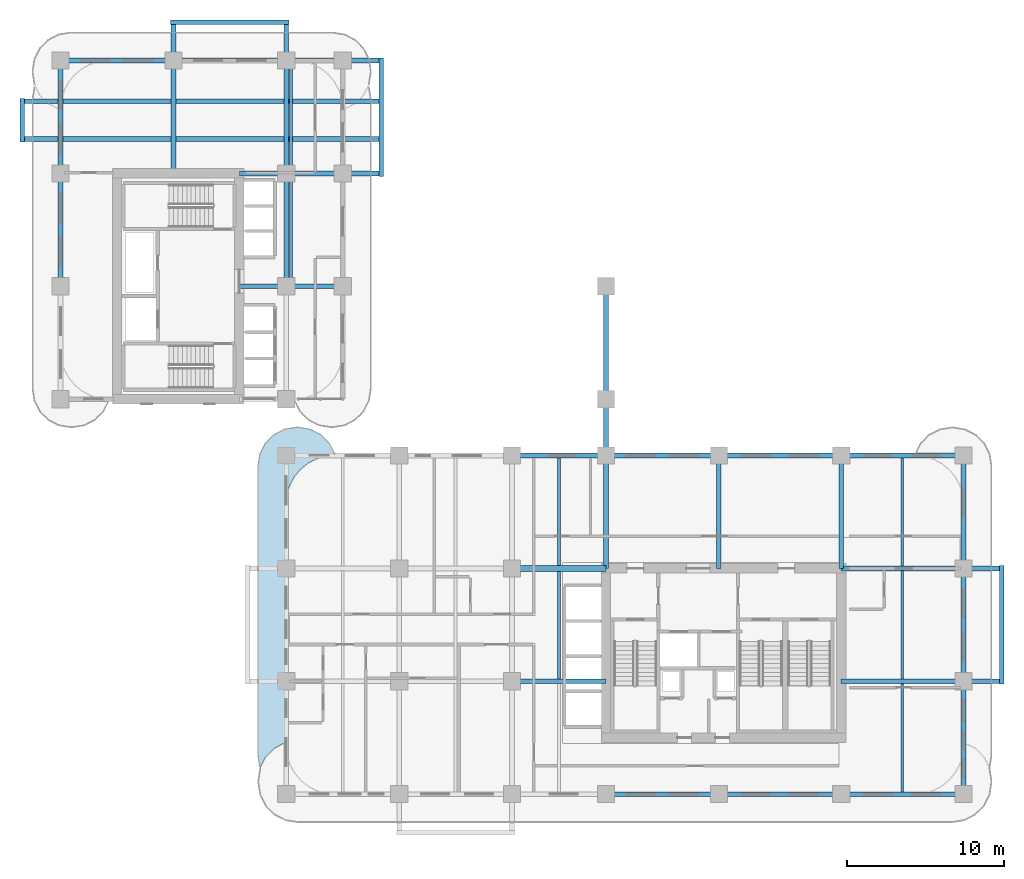
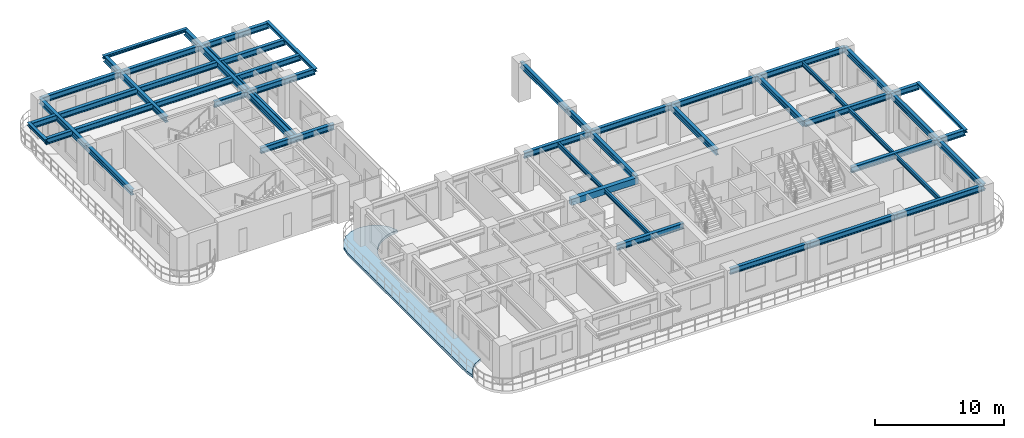
# One storey, part 3 of 18: 41 beams, 1 slab.
"""IFC4 building model written with IfcOpenShell, lengths in metres."""

from ifc_helpers import new_model, si_unit, derived_unit, direction, frame, origin, origin_2d, place, context, subcontext, project, spatial, polyline, rectangle, i_section, outline, extrude, source, transform, mapped, material, layer, layer_set, material_profile, profile_set, type_object, type_shapes, element, save


model = new_model("IFC4")

# Units and contexts
model_context = context("Model", 3, precision=1e-05, world=origin(), true_north=direction((0.0, 1.0)))
body_context = subcontext(model_context, "Body", "Model", "MODEL_VIEW")
ifc_project = project(units=[si_unit("LENGTHUNIT", "METRE"), si_unit("AREAUNIT", "SQUARE_METRE"), si_unit("VOLUMEUNIT", "CUBIC_METRE"), si_unit("PLANEANGLEUNIT", "RADIAN"), si_unit("MASSUNIT", "GRAM", prefix="KILO"), si_unit("THERMODYNAMICTEMPERATUREUNIT", "KELVIN"), si_unit("POWERUNIT", "WATT"), derived_unit("THERMALTRANSMITTANCEUNIT", [(si_unit("POWERUNIT", "WATT"), 1), (si_unit("AREAUNIT", "SQUARE_METRE"), -1), (si_unit("THERMODYNAMICTEMPERATUREUNIT", "KELVIN"), -1)])], contexts=[model_context])

# Site, building, storey
site_placement = place(None, origin())
site = spatial("IfcSite", under=ifc_project, at=site_placement, CompositionType="ELEMENT")
building_placement = place(site_placement, origin())
building = spatial("IfcBuilding", under=site, at=building_placement, Name="Zahravan Archway Hotel and Residences", CompositionType="ELEMENT")
storey_placement = place(building_placement, frame((0.0, 0.0, 58.300048828125)))
storey = spatial("IfcBuildingStorey", under=building, at=storey_placement, Name="L13", CompositionType="ELEMENT", Elevation=58.300048828125)

# Beams
ifc_material_1 = material(Name="Structural Steel S355JR", Category="steel")
ifc_material_profile_1 = material_profile(ifc_material_1, i_section(OverallWidth=0.280029296875, OverallDepth=0.280029296875, WebThickness=0.010498046875, FlangeThickness=0.01806640625, FilletRadius=0.02392578125, at=origin_2d()), Name="HEB 280", Category="steel")
ifc_profile_set_1 = profile_set([ifc_material_profile_1], Name="Structural Steel S355JR")
beam_type_1 = type_object("IfcBeamType", Name="BM-SPN-HEB280", PredefinedType="SPANDREL", material=ifc_profile_set_1)
shared_shape_1 = source(origin(), body_context, "Body", "SweptSolid", [
    extrude(i_section(OverallWidth=0.280029296875, OverallDepth=0.280029296875, WebThickness=0.010498046875, FlangeThickness=0.01806640625, FilletRadius=0.02392578125, at=origin_2d()), origin(), (0.0, 0.0, 1.0), 7.56005859375),
])
type_shapes(beam_type_1, [shared_shape_1])
for number, where, z_axis, x_axis, name in (
    (1, (60.050048828125, 7.02001953125, 3.31005859375), (0.0, 1.0, 0.0), (-1.0, 0.0, 0.0), "L14 EA Balcony Edge Spandrel"),
    (2, (20.449951171875, 39.419921875, 3.31005859375), (0.0, 1.0, 0.0), (-1.0, 0.0, 0.0), "L14 EB Balcony Edge Spandrel"),
    (3, (7.02001953125, 49.25, 3.31005859375), (1.0, 0.0, 0.0), (0.0, 1.0, 0.0), "L14 NB Balcony Edge Spandrel"),
):
    element("IfcBeam", number, at=place(storey_placement, frame(where, z_axis=z_axis, x_axis=x_axis)), inside=storey, type_object=beam_type_1, Name=name, PredefinedType="SPANDREL", context=body_context, shape_type="MappedRepresentation", body=[
        mapped(shared_shape_1, transform((0.0, 0.0, 0.0), scale=1.0)),
    ])
shared_shape_2 = source(origin(), body_context, "Body", "SweptSolid", [
    extrude(i_section(OverallWidth=0.280029296875, OverallDepth=0.280029296875, WebThickness=0.010498046875, FlangeThickness=0.01806640625, FilletRadius=0.02392578125, at=origin_2d()), origin(), (0.0, 0.0, 1.0), 2.759765625),
])
beam_1_placement = place(storey_placement, frame((-2.449951171875, 41.6201171875, 3.31005859375), z_axis=(0.0, 1.0, 0.0), x_axis=(-1.0, 0.0, 0.0)))
element("IfcBeam", 4, at=beam_1_placement, inside=storey, type_object=beam_type_1, Name="L14 WB Balcony Edge Spandrel", PredefinedType="SPANDREL", context=body_context, shape_type="MappedRepresentation", body=[
    mapped(shared_shape_2, transform((0.0, 0.0, 0.0), scale=1.0)),
])
ifc_material_2 = material(Name="Concrete C60/75", Category="concrete")
ifc_material_profile_2 = material_profile(ifc_material_2, rectangle(XDim=0.39990234375, YDim=0.60009765625, at=origin_2d()), Name="RC-LNT-400x600", Category="concrete")
ifc_profile_set_2 = profile_set([ifc_material_profile_2], Name="Concrete C60/75")
beam_type_2 = type_object("IfcBeamType", Name="LNT-RC-400x600", PredefinedType="LINTEL", material=ifc_profile_set_2)
shared_shape_3 = source(origin(), body_context, "Body", "SweptSolid", [
    extrude(rectangle(XDim=0.39990234375, YDim=0.60009765625, at=origin_2d()), origin(), (0.0, 0.0, 1.0), 6.0),
])
type_shapes(beam_type_2, [shared_shape_3])
beam_2_placement = place(storey_placement, frame((28.800048828125, 14.39990234375, 3.14990234375), z_axis=(1.0, 0.0, 0.0), x_axis=(0.0, 1.0, 0.0)))
element("IfcBeam", 5, at=beam_2_placement, inside=storey, type_object=beam_type_2, Name="L13 Core A Coupling Lintel Beam", PredefinedType="LINTEL", context=body_context, shape_type="MappedRepresentation", body=[
    mapped(shared_shape_3, transform((0.0, 0.0, 0.0), scale=1.0)),
])
ifc_material_profile_3 = material_profile(ifc_material_1, i_section(OverallWidth=0.300048828125, OverallDepth=0.550048828125, WebThickness=0.014892578125, FlangeThickness=0.029052734375, FilletRadius=0.027099609375, at=origin_2d()), Name="HEB 550", Category="steel")
ifc_profile_set_3 = profile_set([ifc_material_profile_3], Name="Structural Steel S355JR")
beam_type_3 = type_object("IfcBeamType", Name="BM-PRI-HEB550", PredefinedType="BEAM", material=ifc_profile_set_3)
shared_shape_4 = source(origin(), body_context, "Body", "SweptSolid", [
    extrude(i_section(OverallWidth=0.300048828125, OverallDepth=0.550048828125, WebThickness=0.014892578125, FlangeThickness=0.029052734375, FilletRadius=0.027099609375, at=origin_2d()), origin(), (0.0, 0.0, 1.0), 7.2001953125),
])
type_shapes(beam_type_3, [shared_shape_4])
for number, where, z_axis, x_axis, name in (
    (6, (0.0, 32.39990234375, 3.175048828125), (0.0, 1.0, 0.0), (-1.0, 0.0, 0.0), "L13 Primary Girder NS-28"),
    (7, (14.39990234375, 32.39990234375, 3.175048828125), (0.0, 1.0, 0.0), (-1.0, 0.0, 0.0), "L13 Primary Girder NS-35"),
    (8, (34.800048828125, 14.39990234375, 3.175048828125), (0.0, 1.0, 0.0), (-1.0, 0.0, 0.0), "L13 Primary Girder NS-43"),
    (9, (42.0, 14.39990234375, 3.175048828125), (0.0, 1.0, 0.0), (-1.0, 0.0, 0.0), "L13 Primary Girder NS-46"),
    (10, (49.800048828125, 14.39990234375, 3.175048828125), (0.0, 1.0, 0.0), (-1.0, 0.0, 0.0), "L13 Primary Girder NS-47"),
    (11, (57.60009765625, 14.39990234375, 3.175048828125), (0.0, 1.0, 0.0), (-1.0, 0.0, 0.0), "L13 Primary Girder NS-50"),
):
    element("IfcBeam", number, at=place(storey_placement, frame(where, z_axis=z_axis, x_axis=x_axis)), inside=storey, type_object=beam_type_3, Name=name, PredefinedType="BEAM", context=body_context, shape_type="MappedRepresentation", body=[
        mapped(shared_shape_4, transform((0.0, 0.0, 0.0), scale=1.0)),
    ])
shared_shape_5 = source(origin(), body_context, "Body", "SweptSolid", [
    extrude(i_section(OverallWidth=0.300048828125, OverallDepth=0.550048828125, WebThickness=0.014892578125, FlangeThickness=0.029052734375, FilletRadius=0.027099609375, at=origin_2d()), origin(), (0.0, 0.0, 1.0), 7.199951171875),
])
for number, where, z_axis, x_axis, name in (
    (12, (34.800048828125, 0.0, 3.175048828125), (1.0, 0.0, 0.0), (0.0, 1.0, 0.0), "L13 Primary Girder EW-04"),
    (13, (34.800048828125, 21.60009765625, 3.175048828125), (1.0, 0.0, 0.0), (0.0, 1.0, 0.0), "L13 Primary Girder EW-17"),
    (14, (0.0, 46.800048828125, 3.175048828125), (1.0, 0.0, 0.0), (0.0, 1.0, 0.0), "L13 Primary Girder EW-23"),
    (15, (0.0, 39.60009765625, 3.175048828125), (0.0, 1.0, 0.0), (-1.0, 0.0, 0.0), "L13 Primary Girder NS-29"),
    (16, (34.800048828125, 25.199951171875, 3.175048828125), (0.0, 1.0, 0.0), (-1.0, 0.0, 0.0), "L13 Primary Girder NS-45"),
    (17, (57.60009765625, 0.0, 3.175048828125), (0.0, 1.0, 0.0), (-1.0, 0.0, 0.0), "L13 Primary Girder NS-48"),
    (18, (57.60009765625, 7.199951171875, 3.175048828125), (0.0, 1.0, 0.0), (-1.0, 0.0, 0.0), "L13 Primary Girder NS-49"),
):
    element("IfcBeam", number, at=place(storey_placement, frame(where, z_axis=z_axis, x_axis=x_axis)), inside=storey, type_object=beam_type_3, Name=name, PredefinedType="BEAM", context=body_context, shape_type="MappedRepresentation", body=[
        mapped(shared_shape_5, transform((0.0, 0.0, 0.0), scale=1.0)),
    ])
shared_shape_6 = source(origin(), body_context, "Body", "SweptSolid", [
    extrude(i_section(OverallWidth=0.300048828125, OverallDepth=0.550048828125, WebThickness=0.014892578125, FlangeThickness=0.029052734375, FilletRadius=0.027099609375, at=origin_2d()), origin(), (0.0, 0.0, 1.0), 6.0),
])
for number, where, z_axis, x_axis, name in (
    (19, (28.800048828125, 7.199951171875, 3.175048828125), (1.0, 0.0, 0.0), (0.0, 1.0, 0.0), "L13 Primary Girder EW-09"),
    (20, (28.800048828125, 21.60009765625, 3.175048828125), (1.0, 0.0, 0.0), (0.0, 1.0, 0.0), "L13 Primary Girder EW-16"),
):
    element("IfcBeam", number, at=place(storey_placement, frame(where, z_axis=z_axis, x_axis=x_axis)), inside=storey, type_object=beam_type_3, Name=name, PredefinedType="BEAM", context=body_context, shape_type="MappedRepresentation", body=[
        mapped(shared_shape_6, transform((0.0, 0.0, 0.0), scale=1.0)),
    ])
shared_shape_7 = source(origin(), body_context, "Body", "SweptSolid", [
    extrude(i_section(OverallWidth=0.300048828125, OverallDepth=0.550048828125, WebThickness=0.014892578125, FlangeThickness=0.029052734375, FilletRadius=0.027099609375, at=origin_2d()), origin(), (0.0, 0.0, 1.0), 7.800048828125),
])
for number, where, z_axis, x_axis, name in (
    (21, (42.0, 0.0, 3.175048828125), (1.0, 0.0, 0.0), (0.0, 1.0, 0.0), "L13 Primary Girder EW-05"),
    (22, (49.800048828125, 0.0, 3.175048828125), (1.0, 0.0, 0.0), (0.0, 1.0, 0.0), "L13 Primary Girder EW-06"),
    (23, (42.0, 21.60009765625, 3.175048828125), (1.0, 0.0, 0.0), (0.0, 1.0, 0.0), "L13 Primary Girder EW-18"),
    (24, (49.800048828125, 21.60009765625, 3.175048828125), (1.0, 0.0, 0.0), (0.0, 1.0, 0.0), "L13 Primary Girder EW-19"),
):
    element("IfcBeam", number, at=place(storey_placement, frame(where, z_axis=z_axis, x_axis=x_axis)), inside=storey, type_object=beam_type_3, Name=name, PredefinedType="BEAM", context=body_context, shape_type="MappedRepresentation", body=[
        mapped(shared_shape_7, transform((0.0, 0.0, 0.0), scale=1.0)),
    ])
shared_shape_8 = source(origin(), body_context, "Body", "SweptSolid", [
    extrude(i_section(OverallWidth=0.300048828125, OverallDepth=0.550048828125, WebThickness=0.014892578125, FlangeThickness=0.029052734375, FilletRadius=0.027099609375, at=origin_2d()), origin(), (0.0, 0.0, 1.0), 6.60009765625),
])
beam_3_placement = place(storey_placement, frame((11.39990234375, 32.39990234375, 3.175048828125), z_axis=(1.0, 0.0, 0.0), x_axis=(0.0, 1.0, 0.0)))
element("IfcBeam", 25, at=beam_3_placement, inside=storey, type_object=beam_type_3, Name="L13 Primary Girder EW-21", PredefinedType="BEAM", context=body_context, shape_type="MappedRepresentation", body=[
    mapped(shared_shape_8, transform((0.0, 0.0, 0.0), scale=1.0)),
])
shared_shape_9 = source(origin(), body_context, "Body", "SweptSolid", [
    extrude(i_section(OverallWidth=0.300048828125, OverallDepth=0.550048828125, WebThickness=0.014892578125, FlangeThickness=0.029052734375, FilletRadius=0.027099609375, at=origin_2d()), origin(), (0.0, 0.0, 1.0), 3.599853515625),
])
beam_4_placement = place(storey_placement, frame((34.800048828125, 21.60009765625, 3.175048828125), z_axis=(0.0, 1.0, 0.0), x_axis=(-1.0, 0.0, 0.0)))
element("IfcBeam", 26, at=beam_4_placement, inside=storey, type_object=beam_type_3, Name="L13 Primary Girder NS-44", PredefinedType="BEAM", context=body_context, shape_type="MappedRepresentation", body=[
    mapped(shared_shape_9, transform((0.0, 0.0, 0.0), scale=1.0)),
])
ifc_material_profile_4 = material_profile(ifc_material_1, i_section(OverallWidth=0.179931640625, OverallDepth=0.39990234375, WebThickness=0.008544921875, FlangeThickness=0.013427734375, FilletRadius=0.02099609375, at=origin_2d()), Name="IPE 400", Category="steel")
ifc_profile_set_4 = profile_set([ifc_material_profile_4], Name="Structural Steel S355JR")
beam_type_4 = type_object("IfcBeamType", Name="BM-JST-IPE400", PredefinedType="JOIST", material=ifc_profile_set_4)
shared_shape_10 = source(origin(), body_context, "Body", "SweptSolid", [
    extrude(i_section(OverallWidth=0.179931640625, OverallDepth=0.39990234375, WebThickness=0.008544921875, FlangeThickness=0.013427734375, FilletRadius=0.02099609375, at=origin_2d()), origin(), (0.0, 0.0, 1.0), 6.904052734375),
])
type_shapes(beam_type_4, [shared_shape_10])
for number, where, z_axis, x_axis, name in (
    (27, (53.699951171875, 0.14794921875, 3.25), (0.0, 1.0, 0.0), (-1.0, 0.0, 0.0), "L13 Composite Floor Joist 04"),
    (28, (53.699951171875, 7.347900390625, 3.25), (0.0, 1.0, 0.0), (-1.0, 0.0, 0.0), "L13 Composite Floor Joist 08"),
    (29, (14.699951171875, 39.748046875, 3.25), (0.0, 1.0, 0.0), (-1.0, 0.0, 0.0), "L13 Composite Floor Joist 14"),
):
    element("IfcBeam", number, at=place(storey_placement, frame(where, z_axis=z_axis, x_axis=x_axis)), inside=storey, type_object=beam_type_4, Name=name, PredefinedType="JOIST", context=body_context, shape_type="MappedRepresentation", body=[
        mapped(shared_shape_10, transform((0.0, 0.0, 0.0), scale=1.0)),
    ])
shared_shape_11 = source(origin(), body_context, "Body", "SweptSolid", [
    extrude(i_section(OverallWidth=0.179931640625, OverallDepth=0.39990234375, WebThickness=0.008544921875, FlangeThickness=0.013427734375, FilletRadius=0.02099609375, at=origin_2d()), origin(), (0.0, 0.0, 1.0), 6.85400390625),
])
for number, where, z_axis, x_axis, name in (
    (30, (31.800048828125, 7.347900390625, 3.25), (0.0, 1.0, 0.0), (-1.0, 0.0, 0.0), "L13 Composite Floor Joist 07"),
    (31, (31.800048828125, 14.597900390625, 3.25), (0.0, 1.0, 0.0), (-1.0, 0.0, 0.0), "L13 Composite Floor Joist 09"),
):
    element("IfcBeam", number, at=place(storey_placement, frame(where, z_axis=z_axis, x_axis=x_axis)), inside=storey, type_object=beam_type_4, Name=name, PredefinedType="JOIST", context=body_context, shape_type="MappedRepresentation", body=[
        mapped(shared_shape_11, transform((0.0, 0.0, 0.0), scale=1.0)),
    ])
shared_shape_12 = source(origin(), body_context, "Body", "SweptSolid", [
    extrude(i_section(OverallWidth=0.179931640625, OverallDepth=0.39990234375, WebThickness=0.008544921875, FlangeThickness=0.013427734375, FilletRadius=0.02099609375, at=origin_2d()), origin(), (0.0, 0.0, 1.0), 6.90380859375),
])
for number, where, z_axis, x_axis, name in (
    (32, (53.699951171875, 14.548095703125, 3.25), (0.0, 1.0, 0.0), (-1.0, 0.0, 0.0), "L13 Composite Floor Joist 12"),
    (33, (14.699951171875, 32.548095703125, 3.25), (0.0, 1.0, 0.0), (-1.0, 0.0, 0.0), "L13 Composite Floor Joist 13"),
):
    element("IfcBeam", number, at=place(storey_placement, frame(where, z_axis=z_axis, x_axis=x_axis)), inside=storey, type_object=beam_type_4, Name=name, PredefinedType="JOIST", context=body_context, shape_type="MappedRepresentation", body=[
        mapped(shared_shape_12, transform((0.0, 0.0, 0.0), scale=1.0)),
    ])
shared_shape_13 = source(origin(), body_context, "Body", "SweptSolid", [
    extrude(i_section(OverallWidth=0.300048828125, OverallDepth=0.550048828125, WebThickness=0.014892578125, FlangeThickness=0.029052734375, FilletRadius=0.027099609375, at=origin_2d()), origin(), (0.0, 0.0, 1.0), 10.25),
])
for number, where, z_axis, x_axis, name in (
    (34, (49.800048828125, 7.199951171875, 3.175048828125), (1.0, 0.0, 0.0), (0.0, 1.0, 0.0), "L13 Primary Girder EW-10"),
    (35, (49.800048828125, 14.39990234375, 3.175048828125), (1.0, 0.0, 0.0), (0.0, 1.0, 0.0), "L13 Primary Girder EW-13"),
):
    element("IfcBeam", number, at=place(storey_placement, frame(where, z_axis=z_axis, x_axis=x_axis)), inside=storey, type_object=beam_type_3, Name=name, PredefinedType="BEAM", context=body_context, shape_type="MappedRepresentation", body=[
        mapped(shared_shape_13, transform((0.0, 0.0, 0.0), scale=1.0)),
    ])
shared_shape_14 = source(origin(), body_context, "Body", "SweptSolid", [
    extrude(i_section(OverallWidth=0.300048828125, OverallDepth=0.550048828125, WebThickness=0.014892578125, FlangeThickness=0.029052734375, FilletRadius=0.027099609375, at=origin_2d()), origin(), (0.0, 0.0, 1.0), 9.050048828125),
])
beam_5_placement = place(storey_placement, frame((11.39990234375, 39.60009765625, 3.175048828125), z_axis=(1.0, 0.0, 0.0), x_axis=(0.0, 1.0, 0.0)))
element("IfcBeam", 36, at=beam_5_placement, inside=storey, type_object=beam_type_3, Name="L13 Primary Girder EW-22", PredefinedType="BEAM", context=body_context, shape_type="MappedRepresentation", body=[
    mapped(shared_shape_14, transform((0.0, 0.0, 0.0), scale=1.0)),
])
shared_shape_15 = source(origin(), body_context, "Body", "SweptSolid", [
    extrude(i_section(OverallWidth=0.300048828125, OverallDepth=0.550048828125, WebThickness=0.014892578125, FlangeThickness=0.029052734375, FilletRadius=0.027099609375, at=origin_2d()), origin(), (0.0, 0.0, 1.0), 13.25),
])
beam_6_placement = place(storey_placement, frame((7.199951171875, 46.800048828125, 3.175048828125), z_axis=(1.0, 0.0, 0.0), x_axis=(0.0, 1.0, 0.0)))
element("IfcBeam", 37, at=beam_6_placement, inside=storey, type_object=beam_type_3, Name="L13 Primary Girder EW-24", PredefinedType="BEAM", context=body_context, shape_type="MappedRepresentation", body=[
    mapped(shared_shape_15, transform((0.0, 0.0, 0.0), scale=1.0)),
])
shared_shape_16 = source(origin(), body_context, "Body", "SweptSolid", [
    extrude(i_section(OverallWidth=0.300048828125, OverallDepth=0.550048828125, WebThickness=0.014892578125, FlangeThickness=0.029052734375, FilletRadius=0.027099609375, at=origin_2d()), origin(), (0.0, 0.0, 1.0), 22.89990234375),
])
for number, where, z_axis, x_axis, name in (
    (38, (-2.449951171875, 41.800048828125, 3.175048828125), (1.0, 0.0, 0.0), (0.0, 1.0, 0.0), "L13 Primary Girder EW-25"),
    (39, (-2.449951171875, 44.199951171875, 3.175048828125), (1.0, 0.0, 0.0), (0.0, 1.0, 0.0), "L13 Primary Girder EW-26"),
):
    element("IfcBeam", number, at=place(storey_placement, frame(where, z_axis=z_axis, x_axis=x_axis)), inside=storey, type_object=beam_type_3, Name=name, PredefinedType="BEAM", context=body_context, shape_type="MappedRepresentation", body=[
        mapped(shared_shape_16, transform((0.0, 0.0, 0.0), scale=1.0)),
    ])
shared_shape_17 = source(origin(), body_context, "Body", "SweptSolid", [
    extrude(i_section(OverallWidth=0.300048828125, OverallDepth=0.550048828125, WebThickness=0.014892578125, FlangeThickness=0.029052734375, FilletRadius=0.027099609375, at=origin_2d()), origin(), (0.0, 0.0, 1.0), 9.64990234375),
])
for number, where, z_axis, x_axis, name in (
    (40, (7.199951171875, 39.60009765625, 3.175048828125), (0.0, 1.0, 0.0), (-1.0, 0.0, 0.0), "L13 Primary Girder NS-30"),
    (41, (14.39990234375, 39.60009765625, 3.175048828125), (0.0, 1.0, 0.0), (-1.0, 0.0, 0.0), "L13 Primary Girder NS-36"),
):
    element("IfcBeam", number, at=place(storey_placement, frame(where, z_axis=z_axis, x_axis=x_axis)), inside=storey, type_object=beam_type_3, Name=name, PredefinedType="BEAM", context=body_context, shape_type="MappedRepresentation", body=[
        mapped(shared_shape_17, transform((0.0, 0.0, 0.0), scale=1.0)),
    ])

# Slab
ifc_material_3 = material(Name="Concrete C45/55", Category="concrete")
ifc_layer = layer(ifc_material_3, 0.25, Name="Concrete C45/55", Category="concrete")
ifc_layer_set = layer_set([ifc_layer], Name="Concrete C45/55")
slab_type = type_object("IfcSlabType", Name="SLB-BALC-250", PredefinedType="FLOOR", material=ifc_layer_set)
slab_placement = place(storey_placement, frame((0.0, 0.0, -0.25)))
element("IfcSlab", 42, at=slab_placement, inside=storey, type_object=slab_type, Name="L13 Wing A West Rounded Balcony Band", PredefinedType="FLOOR", context=body_context, shape_type="SweptSolid", body=[
    extrude(outline(polyline([(12.719970703125, 1.69287109375), (12.60009765625, 2.449951171875), (12.60009765625, 20.949951171875), (12.719970703125, 21.70703125), (13.06787109375, 22.39013671875), (13.60986328125, 22.93212890625), (14.29296875, 23.280029296875), (15.050048828125, 23.39990234375), (15.14990234375, 23.39990234375), (15.906982421875, 23.280029296875), (16.590087890625, 22.93212890625), (17.132080078125, 22.39013671875), (17.47998046875, 21.70703125), (17.493896484375, 21.619384765625), (16.893310546875, 21.560302734375), (16.891357421875, 21.56005859375), (16.889404296875, 21.5595703125), (16.307861328125, 21.383056640625), (16.305908203125, 21.382568359375), (16.30419921875, 21.381591796875), (15.768310546875, 21.09521484375), (15.7666015625, 21.09423828125), (15.764892578125, 21.093017578125), (15.29541015625, 20.70751953125), (15.2939453125, 20.7060546875), (15.29248046875, 20.70458984375), (14.906982421875, 20.235107421875), (14.90576171875, 20.2333984375), (14.90478515625, 20.231689453125), (14.618408203125, 19.69580078125), (14.617431640625, 19.694091796875), (14.616943359375, 19.692138671875), (14.4404296875, 19.110595703125), (14.43994140625, 19.108642578125), (14.439697265625, 19.106689453125), (14.380126953125, 18.501953125), (14.3798828125, 18.5), (14.3798828125, 3.298095703125), (14.37890625, 3.298095703125), (14.376953125, 3.2978515625), (14.35888671875, 3.294921875), (14.356689453125, 3.29443359375), (14.354736328125, 3.2939453125), (14.352783203125, 3.29296875), (13.64208984375, 2.930908203125), (13.64013671875, 2.9296875), (13.638427734375, 2.928466796875), (13.636962890625, 2.927001953125), (13.072998046875, 2.363037109375), (13.071533203125, 2.361572265625), (13.0703125, 2.35986328125), (13.069091796875, 2.35791015625), (12.72509765625, 1.6826171875), (12.719970703125, 1.69287109375)])), origin(), (0.0, 0.0, 1.0), 0.25),
])

save(model, "model.ifc")
